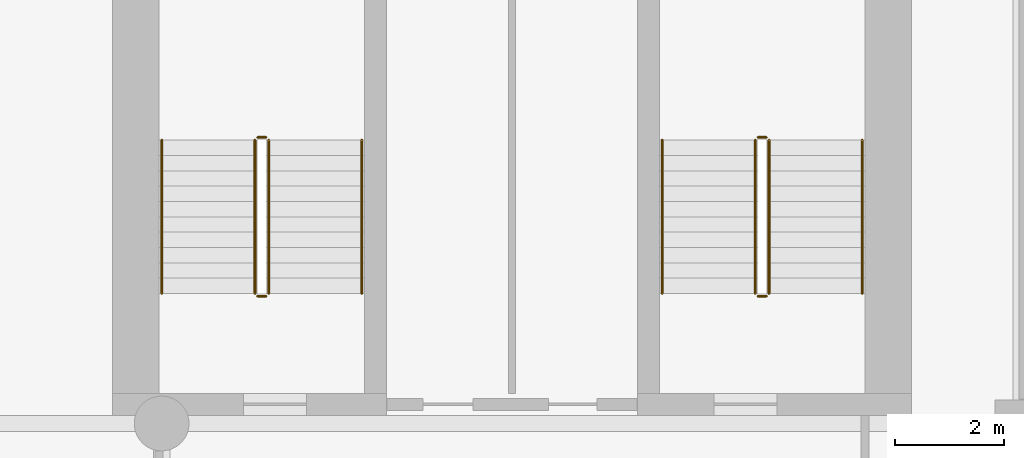
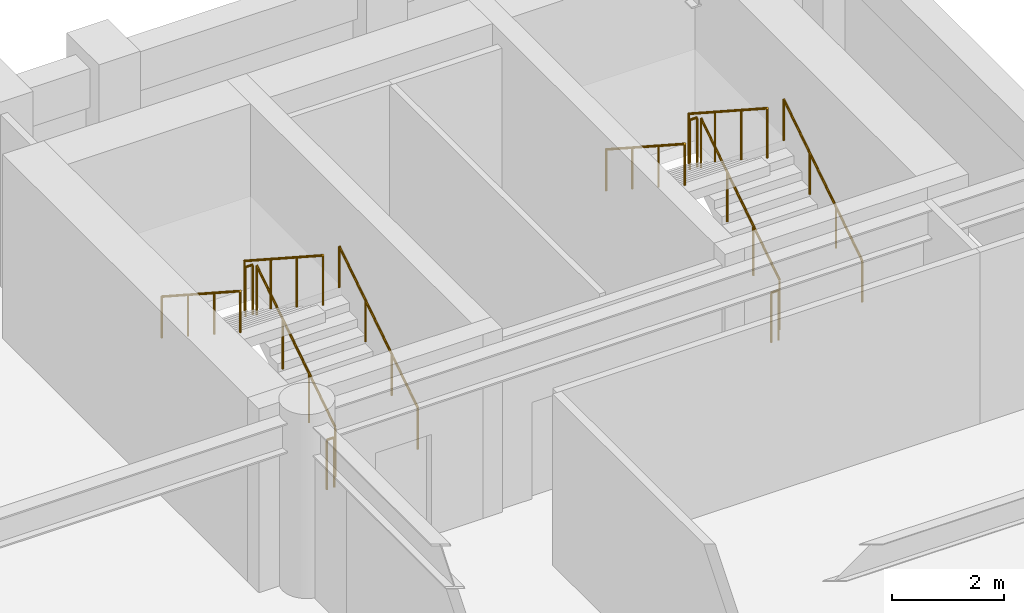
# One storey, part 8 of 8: 12 railings.
"""IFC4 building model written with IfcOpenShell, lengths in metres."""

from ifc_helpers import new_model, si_unit, direction, frame, origin, origin_2d, place, context, subcontext, project, spatial, circle, extrude, material, type_object, element, save


model = new_model("IFC4")

# Units and contexts
model_context = context("Model", 3, precision=1e-05, world=origin(), true_north=direction((0.0, 1.0)))
body_context = subcontext(model_context, "Body", "Model", "MODEL_VIEW")
ifc_project = project(units=[si_unit("LENGTHUNIT", "METRE"), si_unit("AREAUNIT", "SQUARE_METRE"), si_unit("VOLUMEUNIT", "CUBIC_METRE"), si_unit("PLANEANGLEUNIT", "RADIAN"), si_unit("MASSUNIT", "GRAM", prefix="KILO")], contexts=[model_context])

# Site, building, storey
site_placement = place(None, origin())
site = spatial("IfcSite", under=ifc_project, at=site_placement, CompositionType="ELEMENT")
building_placement = place(site_placement, origin())
building = spatial("IfcBuilding", under=site, at=building_placement, Name="Sulina Concourse Tower", CompositionType="ELEMENT")
storey_placement = place(building_placement, frame((0.0, 0.0, 108.60009765625)))
storey = spatial("IfcBuildingStorey", under=building, at=storey_placement, Name="L26", CompositionType="ELEMENT", Elevation=108.60009765625)

# Railings
ifc_material_1 = material(Name="Galvanised steel railing", Category="steel")
railing_type_1 = type_object("IfcRailingType", Name="Core Stair Steel Guardrail 1150mm", PredefinedType="GUARDRAIL", material=ifc_material_1)
railing_1_placement = place(storey_placement, frame((43.554931640625, 36.375, 0.181640625)))
element("IfcRailing", 1, at=railing_1_placement, inside=storey, type_object=railing_type_1, Name="L26 ST-3 stair guard 1", PredefinedType="GUARDRAIL", context=body_context, shape_type="SweptSolid", body=[
    extrude(circle(Radius=0.02392578125, at=origin_2d()), frame((0.0, 0.0, 1.076171875), z_axis=(0.0, 0.838672427954, 0.544636170843), x_axis=(-1.0, 0.0, 0.0)), (0.0, 0.0, 1.0), 3.338623046875),
    extrude(circle(Radius=0.02099609375, at=origin_2d()), origin(), (0.0, 0.0, 1.0), 1.052001953125),
    extrude(circle(Radius=0.02099609375, at=origin_2d()), frame((0.0, 0.933349609375, 0.606201171875)), (0.0, 0.0, 1.0), 1.052001953125),
    extrude(circle(Radius=0.02099609375, at=origin_2d()), frame((0.0, 1.86669921875, 1.212158203125)), (0.0, 0.0, 1.0), 1.052001953125),
    extrude(circle(Radius=0.02099609375, at=origin_2d()), frame((0.0, 2.800048828125, 1.818359375)), (0.0, 0.0, 1.0), 1.052001953125),
])
railing_2_placement = place(storey_placement, frame((43.5048828125, 39.22509765625, 2.0)))
element("IfcRailing", 2, at=railing_2_placement, inside=storey, type_object=railing_type_1, Name="L26 ST-3 stair guard 2", PredefinedType="GUARDRAIL", context=body_context, shape_type="SweptSolid", body=[
    extrude(circle(Radius=0.02392578125, at=origin_2d()), frame((0.0, 0.0, 1.076171875), z_axis=(-1.0, 0.0, 0.0), x_axis=(0.0, -1.0, 0.0)), (0.0, 0.0, 1.0), 0.14990234375),
    extrude(circle(Radius=0.02099609375, at=origin_2d()), origin(), (0.0, 0.0, 1.0), 1.052001953125),
    extrude(circle(Radius=0.02099609375, at=origin_2d()), frame((-0.14990234375, 0.0, 0.0)), (0.0, 0.0, 1.0), 1.052001953125),
])
railing_3_placement = place(storey_placement, frame((43.304931640625, 39.175048828125, 2.181640625)))
element("IfcRailing", 3, at=railing_3_placement, inside=storey, type_object=railing_type_1, Name="L26 ST-3 stair guard 3", PredefinedType="GUARDRAIL", context=body_context, shape_type="SweptSolid", body=[
    extrude(circle(Radius=0.02392578125, at=origin_2d()), frame((0.0, 0.0, 1.076171875), z_axis=(0.0, -0.838672427954, 0.544636170843), x_axis=(1.0, 0.0, 0.0)), (0.0, 0.0, 1.0), 3.338623046875),
    extrude(circle(Radius=0.02099609375, at=origin_2d()), origin(), (0.0, 0.0, 1.0), 1.052001953125),
    extrude(circle(Radius=0.02099609375, at=origin_2d()), frame((0.0, -0.933349609375, 0.606201171875)), (0.0, 0.0, 1.0), 1.052001953125),
    extrude(circle(Radius=0.02099609375, at=origin_2d()), frame((0.0, -1.86669921875, 1.212158203125)), (0.0, 0.0, 1.0), 1.052001953125),
    extrude(circle(Radius=0.02099609375, at=origin_2d()), frame((0.0, -2.800048828125, 1.818359375)), (0.0, 0.0, 1.0), 1.052001953125),
])
railing_4_placement = place(storey_placement, frame((43.5048828125, 36.324951171875, 0.0)))
element("IfcRailing", 4, at=railing_4_placement, inside=storey, type_object=railing_type_1, Name="L26 ST-3 stair guard 4", PredefinedType="GUARDRAIL", context=body_context, shape_type="SweptSolid", body=[
    extrude(circle(Radius=0.02392578125, at=origin_2d()), frame((0.0, 0.0, 1.076171875), z_axis=(-1.0, 0.0, 0.0), x_axis=(0.0, -1.0, 0.0)), (0.0, 0.0, 1.0), 0.14990234375),
    extrude(circle(Radius=0.02099609375, at=origin_2d()), origin(), (0.0, 0.0, 1.0), 1.052001953125),
    extrude(circle(Radius=0.02099609375, at=origin_2d()), frame((-0.14990234375, 0.0, 0.0)), (0.0, 0.0, 1.0), 1.052001953125),
])
railing_5_placement = place(storey_placement, frame((52.695068359375, 36.375, 0.181640625)))
element("IfcRailing", 5, at=railing_5_placement, inside=storey, type_object=railing_type_1, Name="L26 ST-4 stair guard 1", PredefinedType="GUARDRAIL", context=body_context, shape_type="SweptSolid", body=[
    extrude(circle(Radius=0.02392578125, at=origin_2d()), frame((0.0, 0.0, 1.076171875), z_axis=(0.0, 0.838672427954, 0.544636170843), x_axis=(-1.0, 0.0, 0.0)), (0.0, 0.0, 1.0), 3.338623046875),
    extrude(circle(Radius=0.02099609375, at=origin_2d()), origin(), (0.0, 0.0, 1.0), 1.052001953125),
    extrude(circle(Radius=0.02099609375, at=origin_2d()), frame((0.0, 0.933349609375, 0.606201171875)), (0.0, 0.0, 1.0), 1.052001953125),
    extrude(circle(Radius=0.02099609375, at=origin_2d()), frame((0.0, 1.86669921875, 1.212158203125)), (0.0, 0.0, 1.0), 1.052001953125),
    extrude(circle(Radius=0.02099609375, at=origin_2d()), frame((0.0, 2.800048828125, 1.818359375)), (0.0, 0.0, 1.0), 1.052001953125),
])
railing_6_placement = place(storey_placement, frame((52.64501953125, 39.22509765625, 2.0)))
element("IfcRailing", 6, at=railing_6_placement, inside=storey, type_object=railing_type_1, Name="L26 ST-4 stair guard 2", PredefinedType="GUARDRAIL", context=body_context, shape_type="SweptSolid", body=[
    extrude(circle(Radius=0.02392578125, at=origin_2d()), frame((0.0, 0.0, 1.076171875), z_axis=(-1.0, 0.0, 0.0), x_axis=(0.0, -1.0, 0.0)), (0.0, 0.0, 1.0), 0.14990234375),
    extrude(circle(Radius=0.02099609375, at=origin_2d()), origin(), (0.0, 0.0, 1.0), 1.052001953125),
    extrude(circle(Radius=0.02099609375, at=origin_2d()), frame((-0.14990234375, 0.0, 0.0)), (0.0, 0.0, 1.0), 1.052001953125),
])
railing_7_placement = place(storey_placement, frame((52.445068359375, 39.175048828125, 2.181640625)))
element("IfcRailing", 7, at=railing_7_placement, inside=storey, type_object=railing_type_1, Name="L26 ST-4 stair guard 3", PredefinedType="GUARDRAIL", context=body_context, shape_type="SweptSolid", body=[
    extrude(circle(Radius=0.02392578125, at=origin_2d()), frame((0.0, 0.0, 1.076171875), z_axis=(0.0, -0.838672427954, 0.544636170843), x_axis=(1.0, 0.0, 0.0)), (0.0, 0.0, 1.0), 3.338623046875),
    extrude(circle(Radius=0.02099609375, at=origin_2d()), origin(), (0.0, 0.0, 1.0), 1.052001953125),
    extrude(circle(Radius=0.02099609375, at=origin_2d()), frame((0.0, -0.933349609375, 0.606201171875)), (0.0, 0.0, 1.0), 1.052001953125),
    extrude(circle(Radius=0.02099609375, at=origin_2d()), frame((0.0, -1.86669921875, 1.212158203125)), (0.0, 0.0, 1.0), 1.052001953125),
    extrude(circle(Radius=0.02099609375, at=origin_2d()), frame((0.0, -2.800048828125, 1.818359375)), (0.0, 0.0, 1.0), 1.052001953125),
])
railing_8_placement = place(storey_placement, frame((52.64501953125, 36.324951171875, 0.0)))
element("IfcRailing", 8, at=railing_8_placement, inside=storey, type_object=railing_type_1, Name="L26 ST-4 stair guard 4", PredefinedType="GUARDRAIL", context=body_context, shape_type="SweptSolid", body=[
    extrude(circle(Radius=0.02392578125, at=origin_2d()), frame((0.0, 0.0, 1.076171875), z_axis=(-1.0, 0.0, 0.0), x_axis=(0.0, -1.0, 0.0)), (0.0, 0.0, 1.0), 0.14990234375),
    extrude(circle(Radius=0.02099609375, at=origin_2d()), origin(), (0.0, 0.0, 1.0), 1.052001953125),
    extrude(circle(Radius=0.02099609375, at=origin_2d()), frame((-0.14990234375, 0.0, 0.0)), (0.0, 0.0, 1.0), 1.052001953125),
])
ifc_material_2 = material(Name="Galvanised steel railing", Category="steel")
railing_type_2 = type_object("IfcRailingType", Name="Stair Wall Steel Handrail 920mm", PredefinedType="HANDRAIL", material=ifc_material_2)
railing_9_placement = place(storey_placement, frame((45.2548828125, 36.375, 0.181640625)))
element("IfcRailing", 9, at=railing_9_placement, inside=storey, type_object=railing_type_2, Name="L26 ST-3 stair handrail 1", PredefinedType="HANDRAIL", context=body_context, shape_type="SweptSolid", body=[
    extrude(circle(Radius=0.02392578125, at=origin_2d()), frame((0.0, 0.0, 0.89599609375), z_axis=(0.0, 0.838672427954, 0.544636170843), x_axis=(-1.0, 0.0, 0.0)), (0.0, 0.0, 1.0), 3.338623046875),
    extrude(circle(Radius=0.02099609375, at=origin_2d()), origin(), (0.0, 0.0, 1.0), 0.871826171875),
    extrude(circle(Radius=0.02099609375, at=origin_2d()), frame((0.0, 0.933349609375, 0.606201171875)), (0.0, 0.0, 1.0), 0.871826171875),
    extrude(circle(Radius=0.02099609375, at=origin_2d()), frame((0.0, 1.86669921875, 1.212158203125)), (0.0, 0.0, 1.0), 0.871826171875),
    extrude(circle(Radius=0.02099609375, at=origin_2d()), frame((0.0, 2.800048828125, 1.818359375)), (0.0, 0.0, 1.0), 0.871826171875),
])
railing_10_placement = place(storey_placement, frame((41.60498046875, 39.175048828125, 2.181640625)))
element("IfcRailing", 10, at=railing_10_placement, inside=storey, type_object=railing_type_2, Name="L26 ST-3 stair handrail 2", PredefinedType="HANDRAIL", context=body_context, shape_type="SweptSolid", body=[
    extrude(circle(Radius=0.02392578125, at=origin_2d()), frame((0.0, 0.0, 0.89599609375), z_axis=(0.0, -0.838672427954, 0.544636170843), x_axis=(1.0, 0.0, 0.0)), (0.0, 0.0, 1.0), 3.338623046875),
    extrude(circle(Radius=0.02099609375, at=origin_2d()), origin(), (0.0, 0.0, 1.0), 0.871826171875),
    extrude(circle(Radius=0.02099609375, at=origin_2d()), frame((0.0, -0.933349609375, 0.606201171875)), (0.0, 0.0, 1.0), 0.871826171875),
    extrude(circle(Radius=0.02099609375, at=origin_2d()), frame((0.0, -1.86669921875, 1.212158203125)), (0.0, 0.0, 1.0), 0.871826171875),
    extrude(circle(Radius=0.02099609375, at=origin_2d()), frame((0.0, -2.800048828125, 1.818359375)), (0.0, 0.0, 1.0), 0.871826171875),
])
railing_11_placement = place(storey_placement, frame((54.39501953125, 36.375, 0.181640625)))
element("IfcRailing", 11, at=railing_11_placement, inside=storey, type_object=railing_type_2, Name="L26 ST-4 stair handrail 1", PredefinedType="HANDRAIL", context=body_context, shape_type="SweptSolid", body=[
    extrude(circle(Radius=0.02392578125, at=origin_2d()), frame((0.0, 0.0, 0.89599609375), z_axis=(0.0, 0.838672427954, 0.544636170843), x_axis=(-1.0, 0.0, 0.0)), (0.0, 0.0, 1.0), 3.338623046875),
    extrude(circle(Radius=0.02099609375, at=origin_2d()), origin(), (0.0, 0.0, 1.0), 0.871826171875),
    extrude(circle(Radius=0.02099609375, at=origin_2d()), frame((0.0, 0.933349609375, 0.606201171875)), (0.0, 0.0, 1.0), 0.871826171875),
    extrude(circle(Radius=0.02099609375, at=origin_2d()), frame((0.0, 1.86669921875, 1.212158203125)), (0.0, 0.0, 1.0), 0.871826171875),
    extrude(circle(Radius=0.02099609375, at=origin_2d()), frame((0.0, 2.800048828125, 1.818359375)), (0.0, 0.0, 1.0), 0.871826171875),
])
railing_12_placement = place(storey_placement, frame((50.7451171875, 39.175048828125, 2.181640625)))
element("IfcRailing", 12, at=railing_12_placement, inside=storey, type_object=railing_type_2, Name="L26 ST-4 stair handrail 2", PredefinedType="HANDRAIL", context=body_context, shape_type="SweptSolid", body=[
    extrude(circle(Radius=0.02392578125, at=origin_2d()), frame((0.0, 0.0, 0.89599609375), z_axis=(0.0, -0.838672427954, 0.544636170843), x_axis=(1.0, 0.0, 0.0)), (0.0, 0.0, 1.0), 3.338623046875),
    extrude(circle(Radius=0.02099609375, at=origin_2d()), origin(), (0.0, 0.0, 1.0), 0.871826171875),
    extrude(circle(Radius=0.02099609375, at=origin_2d()), frame((0.0, -0.933349609375, 0.606201171875)), (0.0, 0.0, 1.0), 0.871826171875),
    extrude(circle(Radius=0.02099609375, at=origin_2d()), frame((0.0, -1.86669921875, 1.212158203125)), (0.0, 0.0, 1.0), 0.871826171875),
    extrude(circle(Radius=0.02099609375, at=origin_2d()), frame((0.0, -2.800048828125, 1.818359375)), (0.0, 0.0, 1.0), 0.871826171875),
])

save(model, "model.ifc")
